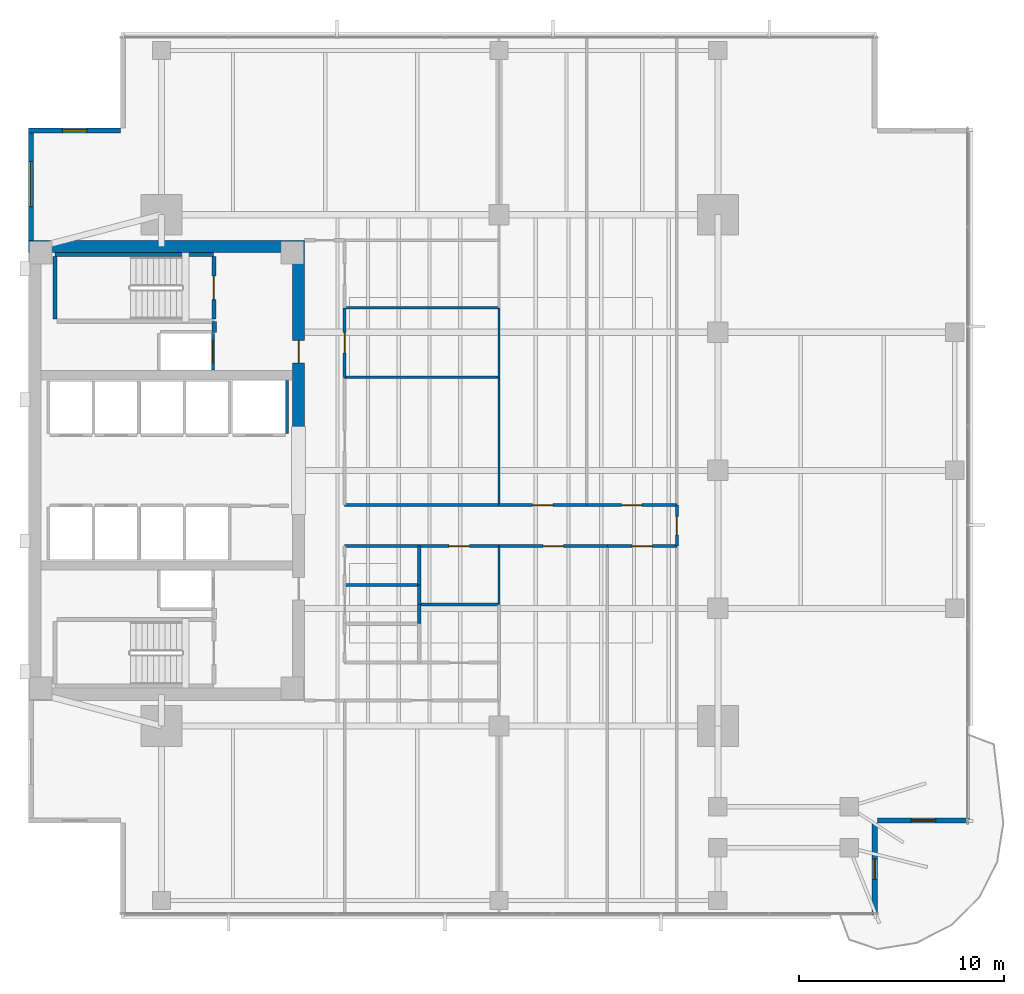
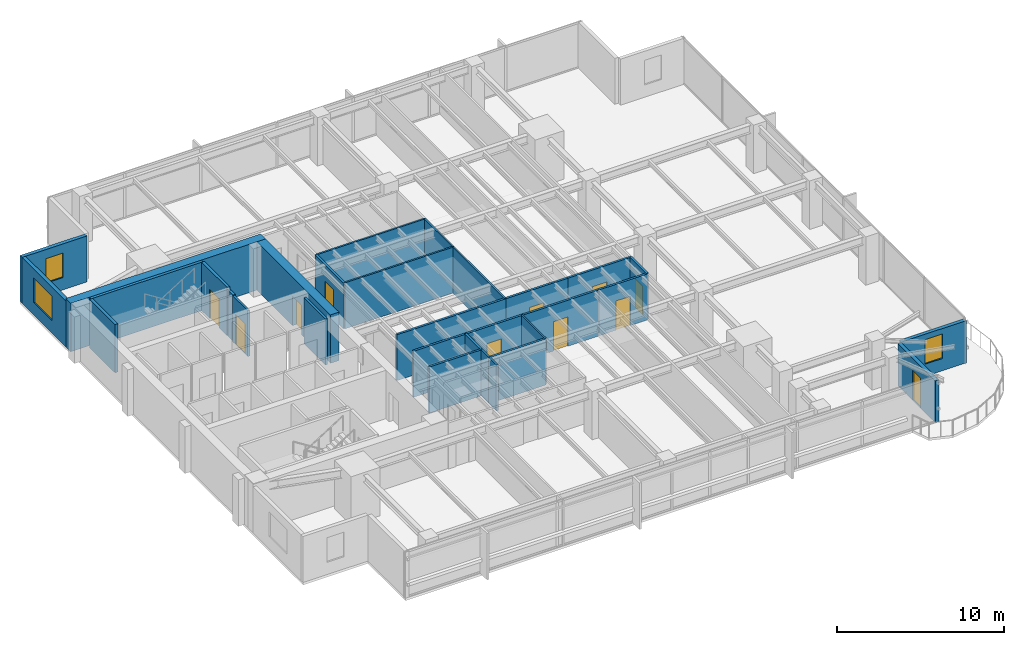
# One storey, part 9 of 14: 31 walls, 11 doors, 3 windows, 14 openings.
"""IFC4 building model written with IfcOpenShell, lengths in metres."""

from ifc_helpers import new_model, si_unit, direction, frame, frame_2d, origin, place, context, subcontext, project, spatial, rectangle, extrude, material, layer, layer_set, type_object, element, fill, save


model = new_model("IFC4")

# Units and contexts
model_context = context("Model", 3, precision=1e-05, world=origin(), true_north=direction((0.0, 1.0)))
body_context = subcontext(model_context, "Body", "Model", "MODEL_VIEW")
ifc_project = project(units=[si_unit("LENGTHUNIT", "METRE"), si_unit("AREAUNIT", "SQUARE_METRE"), si_unit("VOLUMEUNIT", "CUBIC_METRE"), si_unit("PLANEANGLEUNIT", "RADIAN"), si_unit("MASSUNIT", "GRAM", prefix="KILO")], contexts=[model_context])

# Site, building, storey
site_placement = place(None, origin())
site = spatial("IfcSite", under=ifc_project, at=site_placement, CompositionType="ELEMENT")
building_placement = place(site_placement, origin())
building = spatial("IfcBuilding", under=site, at=building_placement, Name="Kinhvarn Gate Tower", CompositionType="ELEMENT")
storey_placement = place(building_placement, frame((0.0, 0.0, 127.10009765625)))
storey = spatial("IfcBuildingStorey", under=building, at=storey_placement, Name="L33", CompositionType="ELEMENT", Elevation=127.10009765625)

# Wall
ifc_material_1 = material(Name="Concrete C60/75", Category="concrete")
ifc_layer_1 = layer(ifc_material_1, 0.60009765625)
ifc_layer_set_1 = layer_set([ifc_layer_1], Name="Concrete C60/75")
wall_type_1 = type_object("IfcWallType", Name="WL-CORE-600", PredefinedType="SHEAR", material=ifc_layer_set_1)
wall_1_placement = place(storey_placement, frame((4.5, 36.199951171875, 0.0), z_axis=(0.0, 0.0, 1.0), x_axis=(1.0, 0.0, 0.0)))
element("IfcWall", 1, at=wall_1_placement, inside=storey, type_object=wall_type_1, Name="Core North Shear Wall L33 600 mm", PredefinedType="SHEAR", context=body_context, shape_type="SweptSolid", body=[
    extrude(rectangle(XDim=13.5, YDim=0.60009765625, at=frame_2d((6.75, 0.0))), origin(), (0.0, 0.0, 1.0), 3.5498046875),
])

# Wall, opening, door
wall_2_placement = place(storey_placement, frame((17.699951171875, 27.050048828125, 0.0), z_axis=(0.0, 0.0, 1.0), x_axis=(0.0, 1.0, 0.0)))
wall_2 = element("IfcWall", 2, at=wall_2_placement, inside=storey, type_object=wall_type_1, Name="Core East-North Shear Pier L33 600 mm", PredefinedType="SHEAR", context=body_context, shape_type="SweptSolid", body=[
    extrude(rectangle(XDim=8.849853515625, YDim=0.60009765625, at=frame_2d((4.4248046875, 0.0))), origin(), (0.0, 0.0, 1.0), 3.5498046875),
])
opening_1_placement = place(wall_2_placement, frame((3.449951171875, 0.0, 0.0)))
opening_1 = element("IfcOpeningElement", 3, at=opening_1_placement, cuts=wall_2, Name="Opening FD-02", PredefinedType="OPENING", context=body_context, shape_type="SweptSolid", body=[
    extrude(rectangle(XDim=1.10009765625, YDim=2.14990234375, at=frame_2d((0.550048828125, 1.074951171875))), frame((0.0, 0.31005859375, 0.0), z_axis=(0.0, -1.0, 0.0), x_axis=(1.0, 0.0, 0.0)), (0.0, 0.0, 1.0), 0.6201171875),
])
ifc_material_2 = material(Name="Anodised aluminium AW-6063", Category="aluminium")
door_type_1 = type_object("IfcDoorType", Name="DR-FD-1100", OperationType="NOTDEFINED", PredefinedType="DOOR", material=ifc_material_2)
door_1_placement = place(opening_1_placement, origin())
door_1 = element("IfcDoor", 4, at=door_1_placement, inside=storey, type_object=door_type_1, Name="Firefighting Lobby Core Door (L33)", OperationType="SINGLE_SWING_LEFT", OverallHeight=2.14990234375, OverallWidth=1.10009765625, PredefinedType="DOOR", context=body_context, shape_type="SweptSolid", body=[
    extrude(rectangle(XDim=1.10009765625, YDim=2.14990234375, at=frame_2d((0.550048828125, 1.074951171875))), frame((0.0, 0.02490234375, 0.0), z_axis=(0.0, -1.0, 0.0), x_axis=(1.0, 0.0, 0.0)), (0.0, 0.0, 1.0), 0.050048828125),
])
fill(opening_1, door_1)

# Wall, opening, window
ifc_material_3 = material(Name="Fired architectural terracotta", Category="masonry")
ifc_layer_2 = layer(ifc_material_3, 0.25)
ifc_layer_set_2 = layer_set([ifc_layer_2], Name="Fired architectural terracotta")
wall_type_2 = type_object("IfcWallType", Name="WL-EXT-250", PredefinedType="SOLIDWALL", material=ifc_layer_set_2)
wall_3_placement = place(storey_placement, frame((4.625, 42.0, 0.0), z_axis=(0.0, 0.0, 1.0), x_axis=(0.0, -1.0, 0.0)))
wall_3 = element("IfcWall", 5, at=wall_3_placement, inside=storey, type_object=wall_type_2, Name="Exterior Solidwall Wall EW-250 (L33 West-North)", PredefinedType="SOLIDWALL", context=body_context, shape_type="SweptSolid", body=[
    extrude(rectangle(XDim=5.5, YDim=0.25, at=frame_2d((2.75, 0.0))), origin(), (0.0, 0.0, 1.0), 3.369873046875),
])
opening_2_placement = place(wall_3_placement, frame((1.64990234375, 0.0, 0.89990234375)))
opening_2 = element("IfcOpeningElement", 6, at=opening_2_placement, cuts=wall_3, Name="Opening WN-01", PredefinedType="OPENING", context=body_context, shape_type="SweptSolid", body=[
    extrude(rectangle(XDim=2.199951171875, YDim=1.800048828125, at=frame_2d((1.10009765625, 0.89990234375))), frame((0.0, 0.135009765625, 0.0), z_axis=(0.0, -1.0, 0.0), x_axis=(1.0, 0.0, 0.0)), (0.0, 0.0, 1.0), 0.27001953125),
])
ifc_material_4 = material(Name="Clear low-e double glazing", Category="glass")
window_type_1 = type_object("IfcWindowType", Name="WIN-RIB-2200", PartitioningType="SINGLE_PANEL", PredefinedType="WINDOW", material=ifc_material_4)
window_1_placement = place(opening_2_placement, origin())
window_1 = element("IfcWindow", 7, at=window_1_placement, inside=storey, type_object=window_type_1, Name="West Flank Double-Glazed Ribbon Window 2200x1800 mm (L33)", OverallHeight=1.800048828125, OverallWidth=2.199951171875, PartitioningType="SINGLE_PANEL", PredefinedType="WINDOW", context=body_context, shape_type="SweptSolid", body=[
    extrude(rectangle(XDim=2.199951171875, YDim=1.800048828125, at=frame_2d((1.10009765625, 0.89990234375))), frame((0.0, 0.030029296875, 0.0), z_axis=(0.0, -1.0, 0.0), x_axis=(1.0, 0.0, 0.0)), (0.0, 0.0, 1.0), 0.06005859375),
])
fill(opening_2, window_1)

# Wall, opening, door
wall_4_placement = place(storey_placement, frame((45.875, 3.5, 0.0), z_axis=(0.0, 0.0, 1.0), x_axis=(0.0, 1.0, 0.0)))
wall_4 = element("IfcWall", 8, at=wall_4_placement, inside=storey, type_object=wall_type_2, Name="Exterior Solidwall Wall EW-250 (L33 SE-Notch-Door)", PredefinedType="SOLIDWALL", context=body_context, shape_type="SweptSolid", body=[
    extrude(rectangle(XDim=4.5, YDim=0.25, at=frame_2d((2.25, 0.0))), origin(), (0.0, 0.0, 1.0), 3.06982421875),
])
opening_3_placement = place(wall_4_placement, frame((1.75, 0.0, 0.0)))
opening_3 = element("IfcOpeningElement", 9, at=opening_3_placement, cuts=wall_4, Name="Opening BD-01", PredefinedType="OPENING", context=body_context, shape_type="SweptSolid", body=[
    extrude(rectangle(XDim=1.0, YDim=2.199951171875, at=frame_2d((0.5, 1.10009765625))), frame((0.0, 0.135009765625, 0.0), z_axis=(0.0, -1.0, 0.0), x_axis=(1.0, 0.0, 0.0)), (0.0, 0.0, 1.0), 0.27001953125),
])
door_type_2 = type_object("IfcDoorType", Name="DR-BAL-1000", OperationType="NOTDEFINED", PredefinedType="DOOR", material=ifc_material_4)
door_2_placement = place(opening_3_placement, frame((1.0, 0.0, 0.0), z_axis=(0.0, 0.0, 1.0), x_axis=(-1.0, 0.0, 0.0)))
door_2 = element("IfcDoor", 10, at=door_2_placement, inside=storey, type_object=door_type_2, Name="S-Carve Balcony Door BD-01 (L33)", OperationType="SINGLE_SWING_LEFT", OverallHeight=2.199951171875, OverallWidth=1.0, PredefinedType="DOOR", context=body_context, shape_type="SweptSolid", body=[
    extrude(rectangle(XDim=1.0, YDim=2.199951171875, at=frame_2d((0.5, 1.10009765625))), frame((0.0, 0.02490234375, 0.0), z_axis=(0.0, -1.0, 0.0), x_axis=(1.0, 0.0, 0.0)), (0.0, 0.0, 1.0), 0.050048828125),
])
fill(opening_3, door_2)

# Wall, opening, window
wall_5_placement = place(storey_placement, frame((46.0, 8.125, 0.0), z_axis=(0.0, 0.0, 1.0), x_axis=(1.0, 0.0, 0.0)))
wall_5 = element("IfcWall", 11, at=wall_5_placement, inside=storey, type_object=wall_type_2, Name="Exterior Solidwall Wall EW-250 (L33 SE-Notch-Win)", PredefinedType="SOLIDWALL", context=body_context, shape_type="SweptSolid", body=[
    extrude(rectangle(XDim=4.5, YDim=0.25, at=frame_2d((2.25, 0.0))), origin(), (0.0, 0.0, 1.0), 3.099853515625),
])
opening_4_placement = place(wall_5_placement, frame((1.64990234375, 0.0, 0.89990234375)))
opening_4 = element("IfcOpeningElement", 12, at=opening_4_placement, cuts=wall_5, Name="Opening WN-02", PredefinedType="OPENING", context=body_context, shape_type="SweptSolid", body=[
    extrude(rectangle(XDim=1.199951171875, YDim=1.800048828125, at=frame_2d((0.60009765625, 0.89990234375))), frame((0.0, 0.135009765625, 0.0), z_axis=(0.0, -1.0, 0.0), x_axis=(1.0, 0.0, 0.0)), (0.0, 0.0, 1.0), 0.27001953125),
])
window_type_2 = type_object("IfcWindowType", Name="WIN-NTC-1200", PartitioningType="SINGLE_PANEL", PredefinedType="WINDOW", material=ifc_material_4)
window_2_placement = place(opening_4_placement, origin())
window_2 = element("IfcWindow", 13, at=window_2_placement, inside=storey, type_object=window_type_2, Name="Recessed Corner Notch Punched Window 1200x1800 mm (L33)", OverallHeight=1.800048828125, OverallWidth=1.199951171875, PartitioningType="SINGLE_PANEL", PredefinedType="WINDOW", context=body_context, shape_type="SweptSolid", body=[
    extrude(rectangle(XDim=1.199951171875, YDim=1.800048828125, at=frame_2d((0.60009765625, 0.89990234375))), frame((0.0, 0.030029296875, 0.0), z_axis=(0.0, -1.0, 0.0), x_axis=(1.0, 0.0, 0.0)), (0.0, 0.0, 1.0), 0.06005859375),
])
fill(opening_4, window_2)

wall_6_placement = place(storey_placement, frame((9.0, 41.875, 0.0), z_axis=(0.0, 0.0, 1.0), x_axis=(-1.0, 0.0, 0.0)))
wall_6 = element("IfcWall", 14, at=wall_6_placement, inside=storey, type_object=wall_type_2, Name="Exterior Solidwall Wall EW-250 (L33 NW-Notch-2)", PredefinedType="SOLIDWALL", context=body_context, shape_type="SweptSolid", body=[
    extrude(rectangle(XDim=4.5, YDim=0.25, at=frame_2d((2.25, 0.0))), origin(), (0.0, 0.0, 1.0), 3.369873046875),
])
opening_5_placement = place(wall_6_placement, frame((1.64990234375, 0.0, 0.89990234375)))
opening_5 = element("IfcOpeningElement", 15, at=opening_5_placement, cuts=wall_6, Name="Opening WN-02", PredefinedType="OPENING", context=body_context, shape_type="SweptSolid", body=[
    extrude(rectangle(XDim=1.199951171875, YDim=1.800048828125, at=frame_2d((0.60009765625, 0.89990234375))), frame((0.0, 0.135009765625, 0.0), z_axis=(0.0, -1.0, 0.0), x_axis=(1.0, 0.0, 0.0)), (0.0, 0.0, 1.0), 0.27001953125),
])
window_3_placement = place(opening_5_placement, origin())
window_3 = element("IfcWindow", 16, at=window_3_placement, inside=storey, type_object=window_type_2, Name="Recessed Corner Notch Punched Window 1200x1800 mm (L33)", OverallHeight=1.800048828125, OverallWidth=1.199951171875, PartitioningType="SINGLE_PANEL", PredefinedType="WINDOW", context=body_context, shape_type="SweptSolid", body=[
    extrude(rectangle(XDim=1.199951171875, YDim=1.800048828125, at=frame_2d((0.60009765625, 0.89990234375))), frame((0.0, 0.030029296875, 0.0), z_axis=(0.0, -1.0, 0.0), x_axis=(1.0, 0.0, 0.0)), (0.0, 0.0, 1.0), 0.06005859375),
])
fill(opening_5, window_3)

# Walls
ifc_material_5 = material(Name="Gypsum acoustic partition board")
ifc_layer_3 = layer(ifc_material_5, 0.14990234375)
ifc_layer_set_3 = layer_set([ifc_layer_3], Name="Gypsum acoustic partition board")
wall_type_3 = type_object("IfcWallType", Name="WL-PLM-150", PredefinedType="PLUMBINGWALL", material=ifc_layer_set_3)
wall_7_placement = place(storey_placement, frame((19.949951171875, 19.64990234375, 0.0), z_axis=(0.0, 0.0, 1.0), x_axis=(1.0, 0.0, 0.0)))
element("IfcWall", 17, at=wall_7_placement, inside=storey, type_object=wall_type_3, Name="Interior Partition PLW-150 (L33)", PredefinedType="PLUMBINGWALL", context=body_context, shape_type="SweptSolid", body=[
    extrude(rectangle(XDim=3.650146484375, YDim=0.14990234375, at=frame_2d((1.8251953125, 0.0))), origin(), (0.0, 0.0, 1.0), 3.369873046875),
])
for number, where, z_axis, x_axis, name in (
    (18, (23.60009765625, 17.75, 0.0), (0.0, 0.0, 1.0), (0.0, 1.0, 0.0), "Interior Partition PLW-150 (L33)"),
    (19, (23.60009765625, 18.699951171875, 0.0), (0.0, 0.0, 1.0), (0.0, 1.0, 0.0), "Interior Partition PLW-150 (L33)"),
):
    element("IfcWall", number, at=place(storey_placement, frame(where, z_axis=z_axis, x_axis=x_axis)), inside=storey, type_object=wall_type_3, Name=name, PredefinedType="PLUMBINGWALL", context=body_context, shape_type="SweptSolid", body=[
        extrude(rectangle(XDim=0.949951171875, YDim=0.14990234375, at=frame_2d((0.47509765625, 0.0))), origin(), (0.0, 0.0, 1.0), 3.369873046875),
    ])
wall_8_placement = place(storey_placement, frame((23.60009765625, 19.64990234375, 0.0), z_axis=(0.0, 0.0, 1.0), x_axis=(0.0, 1.0, 0.0)))
element("IfcWall", 20, at=wall_8_placement, inside=storey, type_object=wall_type_3, Name="Interior Partition PLW-150 (L33)", PredefinedType="PLUMBINGWALL", context=body_context, shape_type="SweptSolid", body=[
    extrude(rectangle(XDim=1.900146484375, YDim=0.14990234375, at=frame_2d((0.9501953125, 0.0))), origin(), (0.0, 0.0, 1.0), 3.369873046875),
])
wall_9_placement = place(storey_placement, frame((23.60009765625, 18.699951171875, 0.0), z_axis=(0.0, 0.0, 1.0), x_axis=(1.0, 0.0, 0.0)))
element("IfcWall", 21, at=wall_9_placement, inside=storey, type_object=wall_type_3, Name="Interior Partition PLW-150 (L33)", PredefinedType="PLUMBINGWALL", context=body_context, shape_type="SweptSolid", body=[
    extrude(rectangle(XDim=3.89990234375, YDim=0.14990234375, at=frame_2d((1.949951171875, 0.0))), origin(), (0.0, 0.0, 1.0), 3.369873046875),
])
ifc_layer_4 = layer(ifc_material_5, 0.14990234375)
ifc_layer_set_4 = layer_set([ifc_layer_4], Name="Gypsum acoustic partition board")
wall_type_4 = type_object("IfcWallType", Name="WL-PLM-150F", PredefinedType="PLUMBINGWALL", material=ifc_layer_set_4)
wall_10_placement = place(storey_placement, frame((19.949951171875, 21.550048828125, 0.0), z_axis=(0.0, 0.0, 1.0), x_axis=(1.0, 0.0, 0.0)))
element("IfcWall", 22, at=wall_10_placement, inside=storey, type_object=wall_type_4, Name="Interior Partition PLW-150F (L33)", PredefinedType="PLUMBINGWALL", context=body_context, shape_type="SweptSolid", body=[
    extrude(rectangle(XDim=3.650146484375, YDim=0.14990234375, at=frame_2d((1.8251953125, 0.0))), origin(), (0.0, 0.0, 1.0), 3.369873046875),
])
ifc_layer_5 = layer(ifc_material_5, 0.1201171875)
ifc_layer_set_5 = layer_set([ifc_layer_5], Name="Gypsum acoustic partition board")
wall_type_5 = type_object("IfcWallType", Name="WL-PRT-120", PredefinedType="PARTITIONING", material=ifc_layer_set_5)
wall_11_placement = place(storey_placement, frame((27.5, 18.699951171875, 0.0), z_axis=(0.0, 0.0, 1.0), x_axis=(0.0, 1.0, 0.0)))
element("IfcWall", 23, at=wall_11_placement, inside=storey, type_object=wall_type_5, Name="Interior Partition PW-120 (L33)", PredefinedType="PARTITIONING", context=body_context, shape_type="SweptSolid", body=[
    extrude(rectangle(XDim=2.85009765625, YDim=0.1201171875, at=frame_2d((1.425048828125, 0.0))), origin(), (0.0, 0.0, 1.0), 3.369873046875),
])
wall_12_placement = place(storey_placement, frame((19.949951171875, 29.800048828125, 0.0), z_axis=(0.0, 0.0, 1.0), x_axis=(1.0, 0.0, 0.0)))
element("IfcWall", 24, at=wall_12_placement, inside=storey, type_object=wall_type_5, Name="Interior Partition PW-120 (L33)", PredefinedType="PARTITIONING", context=body_context, shape_type="SweptSolid", body=[
    extrude(rectangle(XDim=7.550048828125, YDim=0.1201171875, at=frame_2d((3.77490234375, 0.0))), origin(), (0.0, 0.0, 1.0), 3.369873046875),
])
wall_13_placement = place(storey_placement, frame((27.5, 23.550048828125, 0.0), z_axis=(0.0, 0.0, 1.0), x_axis=(0.0, 1.0, 0.0)))
element("IfcWall", 25, at=wall_13_placement, inside=storey, type_object=wall_type_5, Name="Interior Partition PW-120 (L33)", PredefinedType="PARTITIONING", context=body_context, shape_type="SweptSolid", body=[
    extrude(rectangle(XDim=6.25, YDim=0.1201171875, at=frame_2d((3.125, 0.0))), origin(), (0.0, 0.0, 1.0), 3.369873046875),
])
wall_14_placement = place(storey_placement, frame((19.949951171875, 33.199951171875, 0.0), z_axis=(0.0, 0.0, 1.0), x_axis=(1.0, 0.0, 0.0)))
element("IfcWall", 26, at=wall_14_placement, inside=storey, type_object=wall_type_5, Name="Interior Partition PW-120 (L33)", PredefinedType="PARTITIONING", context=body_context, shape_type="SweptSolid", body=[
    extrude(rectangle(XDim=7.550048828125, YDim=0.1201171875, at=frame_2d((3.77490234375, 0.0))), origin(), (0.0, 0.0, 1.0), 3.369873046875),
])
wall_15_placement = place(storey_placement, frame((27.5, 29.800048828125, 0.0), z_axis=(0.0, 0.0, 1.0), x_axis=(0.0, 1.0, 0.0)))
element("IfcWall", 27, at=wall_15_placement, inside=storey, type_object=wall_type_5, Name="Interior Partition PW-120 (L33)", PredefinedType="PARTITIONING", context=body_context, shape_type="SweptSolid", body=[
    extrude(rectangle(XDim=3.39990234375, YDim=0.1201171875, at=frame_2d((1.699951171875, 0.0))), origin(), (0.0, 0.0, 1.0), 3.369873046875),
])

# Wall, opening, door
ifc_layer_6 = layer(ifc_material_5, 0.14990234375)
ifc_layer_set_6 = layer_set([ifc_layer_6], Name="Gypsum acoustic partition board")
wall_type_6 = type_object("IfcWallType", Name="WL-PRT-150F", PredefinedType="PARTITIONING", material=ifc_layer_set_6)
wall_16_placement = place(storey_placement, frame((19.949951171875, 29.800048828125, 0.0), z_axis=(0.0, 0.0, 1.0), x_axis=(0.0, 1.0, 0.0)))
wall_16 = element("IfcWall", 28, at=wall_16_placement, inside=storey, type_object=wall_type_6, Name="Interior Partition PW-150F (L33)", PredefinedType="PARTITIONING", context=body_context, shape_type="SweptSolid", body=[
    extrude(rectangle(XDim=3.39990234375, YDim=0.14990234375, at=frame_2d((1.699951171875, 0.0))), origin(), (0.0, 0.0, 1.0), 3.369873046875),
])
opening_6_placement = place(wall_16_placement, frame((1.199951171875, 0.0, 0.0)))
opening_6 = element("IfcOpeningElement", 29, at=opening_6_placement, cuts=wall_16, Name="Opening ID-02", PredefinedType="OPENING", context=body_context, shape_type="SweptSolid", body=[
    extrude(rectangle(XDim=1.0, YDim=2.14990234375, at=frame_2d((0.5, 1.074951171875))), frame((0.0, 0.0849609375, 0.0), z_axis=(0.0, -1.0, 0.0), x_axis=(1.0, 0.0, 0.0)), (0.0, 0.0, 1.0), 0.169921875),
])
door_type_3 = type_object("IfcDoorType", Name="DR-INT-1000", OperationType="NOTDEFINED", PredefinedType="DOOR", material=ifc_material_2)
door_3_placement = place(opening_6_placement, origin())
door_3 = element("IfcDoor", 30, at=door_3_placement, inside=storey, type_object=door_type_3, Name="Standard Office & Meeting Room Door 1000x2150 mm (L33)", OperationType="SINGLE_SWING_RIGHT", OverallHeight=2.14990234375, OverallWidth=1.0, PredefinedType="DOOR", context=body_context, shape_type="SweptSolid", body=[
    extrude(rectangle(XDim=1.0, YDim=2.14990234375, at=frame_2d((0.5, 1.074951171875))), frame((0.0, 0.02490234375, 0.0), z_axis=(0.0, -1.0, 0.0), x_axis=(1.0, 0.0, 0.0)), (0.0, 0.0, 1.0), 0.050048828125),
])
fill(opening_6, door_3)

wall_17_placement = place(storey_placement, frame((23.60009765625, 21.550048828125, 0.0), z_axis=(0.0, 0.0, 1.0), x_axis=(1.0, 0.0, 0.0)))
wall_17 = element("IfcWall", 31, at=wall_17_placement, inside=storey, type_object=wall_type_6, Name="Interior Partition PW-150F (L33)", PredefinedType="PARTITIONING", context=body_context, shape_type="SweptSolid", body=[
    extrude(rectangle(XDim=3.89990234375, YDim=0.14990234375, at=frame_2d((1.949951171875, 0.0))), origin(), (0.0, 0.0, 1.0), 3.369873046875),
])
opening_7_placement = place(wall_17_placement, frame((1.449951171875, 0.0, 0.0)))
opening_7 = element("IfcOpeningElement", 32, at=opening_7_placement, cuts=wall_17, Name="Opening ID-02", PredefinedType="OPENING", context=body_context, shape_type="SweptSolid", body=[
    extrude(rectangle(XDim=1.0, YDim=2.14990234375, at=frame_2d((0.5, 1.074951171875))), frame((0.0, 0.0849609375, 0.0), z_axis=(0.0, -1.0, 0.0), x_axis=(1.0, 0.0, 0.0)), (0.0, 0.0, 1.0), 0.169921875),
])
door_4_placement = place(opening_7_placement, origin())
door_4 = element("IfcDoor", 33, at=door_4_placement, inside=storey, type_object=door_type_3, Name="Standard Office & Meeting Room Door 1000x2150 mm (L33)", OperationType="SINGLE_SWING_RIGHT", OverallHeight=2.14990234375, OverallWidth=1.0, PredefinedType="DOOR", context=body_context, shape_type="SweptSolid", body=[
    extrude(rectangle(XDim=1.0, YDim=2.14990234375, at=frame_2d((0.5, 1.074951171875))), frame((0.0, 0.02490234375, 0.0), z_axis=(0.0, -1.0, 0.0), x_axis=(1.0, 0.0, 0.0)), (0.0, 0.0, 1.0), 0.050048828125),
])
fill(opening_7, door_4)

# Wall
wall_18_placement = place(storey_placement, frame((19.949951171875, 23.550048828125, 0.0), z_axis=(0.0, 0.0, 1.0), x_axis=(1.0, 0.0, 0.0)))
element("IfcWall", 34, at=wall_18_placement, inside=storey, type_object=wall_type_6, Name="Interior Partition PW-150F (L33)", PredefinedType="PARTITIONING", context=body_context, shape_type="SweptSolid", body=[
    extrude(rectangle(XDim=7.550048828125, YDim=0.14990234375, at=frame_2d((3.77490234375, 0.0))), origin(), (0.0, 0.0, 1.0), 3.369873046875),
])

# Wall, opening, door
wall_19_placement = place(storey_placement, frame((27.5, 21.550048828125, 0.0), z_axis=(0.0, 0.0, 1.0), x_axis=(1.0, 0.0, 0.0)))
wall_19 = element("IfcWall", 35, at=wall_19_placement, inside=storey, type_object=wall_type_6, Name="Interior Partition PW-150F (L33)", PredefinedType="PARTITIONING", context=body_context, shape_type="SweptSolid", body=[
    extrude(rectangle(XDim=5.300048828125, YDim=0.14990234375, at=frame_2d((2.64990234375, 0.0))), origin(), (0.0, 0.0, 1.0), 3.369873046875),
])
opening_8_placement = place(wall_19_placement, frame((2.14990234375, 0.0, 0.0)))
opening_8 = element("IfcOpeningElement", 36, at=opening_8_placement, cuts=wall_19, Name="Opening ID-02", PredefinedType="OPENING", context=body_context, shape_type="SweptSolid", body=[
    extrude(rectangle(XDim=1.0, YDim=2.14990234375, at=frame_2d((0.5, 1.074951171875))), frame((0.0, 0.0849609375, 0.0), z_axis=(0.0, -1.0, 0.0), x_axis=(1.0, 0.0, 0.0)), (0.0, 0.0, 1.0), 0.169921875),
])
door_5_placement = place(opening_8_placement, origin())
door_5 = element("IfcDoor", 37, at=door_5_placement, inside=storey, type_object=door_type_3, Name="Standard Office & Meeting Room Door 1000x2150 mm (L33)", OperationType="SINGLE_SWING_LEFT", OverallHeight=2.14990234375, OverallWidth=1.0, PredefinedType="DOOR", context=body_context, shape_type="SweptSolid", body=[
    extrude(rectangle(XDim=1.0, YDim=2.14990234375, at=frame_2d((0.5, 1.074951171875))), frame((0.0, 0.02490234375, 0.0), z_axis=(0.0, -1.0, 0.0), x_axis=(1.0, 0.0, 0.0)), (0.0, 0.0, 1.0), 0.050048828125),
])
fill(opening_8, door_5)

wall_20_placement = place(storey_placement, frame((32.800048828125, 21.550048828125, 0.0), z_axis=(0.0, 0.0, 1.0), x_axis=(1.0, 0.0, 0.0)))
wall_20 = element("IfcWall", 38, at=wall_20_placement, inside=storey, type_object=wall_type_6, Name="Interior Partition PW-150F (L33)", PredefinedType="PARTITIONING", context=body_context, shape_type="SweptSolid", body=[
    extrude(rectangle(XDim=3.39990234375, YDim=0.14990234375, at=frame_2d((1.699951171875, 0.0))), origin(), (0.0, 0.0, 1.0), 3.369873046875),
])
opening_9_placement = place(wall_20_placement, frame((1.199951171875, 0.0, 0.0)))
opening_9 = element("IfcOpeningElement", 39, at=opening_9_placement, cuts=wall_20, Name="Opening ID-02", PredefinedType="OPENING", context=body_context, shape_type="SweptSolid", body=[
    extrude(rectangle(XDim=1.0, YDim=2.14990234375, at=frame_2d((0.5, 1.074951171875))), frame((0.0, 0.0849609375, 0.0), z_axis=(0.0, -1.0, 0.0), x_axis=(1.0, 0.0, 0.0)), (0.0, 0.0, 1.0), 0.169921875),
])
door_6_placement = place(opening_9_placement, origin())
door_6 = element("IfcDoor", 40, at=door_6_placement, inside=storey, type_object=door_type_3, Name="Standard Office & Meeting Room Door 1000x2150 mm (L33)", OperationType="SINGLE_SWING_RIGHT", OverallHeight=2.14990234375, OverallWidth=1.0, PredefinedType="DOOR", context=body_context, shape_type="SweptSolid", body=[
    extrude(rectangle(XDim=1.0, YDim=2.14990234375, at=frame_2d((0.5, 1.074951171875))), frame((0.0, 0.02490234375, 0.0), z_axis=(0.0, -1.0, 0.0), x_axis=(1.0, 0.0, 0.0)), (0.0, 0.0, 1.0), 0.050048828125),
])
fill(opening_9, door_6)

wall_21_placement = place(storey_placement, frame((27.5, 23.550048828125, 0.0), z_axis=(0.0, 0.0, 1.0), x_axis=(1.0, 0.0, 0.0)))
wall_21 = element("IfcWall", 41, at=wall_21_placement, inside=storey, type_object=wall_type_6, Name="Interior Partition PW-150F (L33)", PredefinedType="PARTITIONING", context=body_context, shape_type="SweptSolid", body=[
    extrude(rectangle(XDim=4.300048828125, YDim=0.14990234375, at=frame_2d((2.14990234375, 0.0))), origin(), (0.0, 0.0, 1.0), 3.369873046875),
])
opening_10_placement = place(wall_21_placement, frame((1.64990234375, 0.0, 0.0)))
opening_10 = element("IfcOpeningElement", 42, at=opening_10_placement, cuts=wall_21, Name="Opening ID-02", PredefinedType="OPENING", context=body_context, shape_type="SweptSolid", body=[
    extrude(rectangle(XDim=1.0, YDim=2.14990234375, at=frame_2d((0.5, 1.074951171875))), frame((0.0, 0.0849609375, 0.0), z_axis=(0.0, -1.0, 0.0), x_axis=(1.0, 0.0, 0.0)), (0.0, 0.0, 1.0), 0.169921875),
])
door_7_placement = place(opening_10_placement, origin())
door_7 = element("IfcDoor", 43, at=door_7_placement, inside=storey, type_object=door_type_3, Name="Standard Office & Meeting Room Door 1000x2150 mm (L33)", OperationType="SINGLE_SWING_LEFT", OverallHeight=2.14990234375, OverallWidth=1.0, PredefinedType="DOOR", context=body_context, shape_type="SweptSolid", body=[
    extrude(rectangle(XDim=1.0, YDim=2.14990234375, at=frame_2d((0.5, 1.074951171875))), frame((0.0, 0.02490234375, 0.0), z_axis=(0.0, -1.0, 0.0), x_axis=(1.0, 0.0, 0.0)), (0.0, 0.0, 1.0), 0.050048828125),
])
fill(opening_10, door_7)

wall_22_placement = place(storey_placement, frame((31.800048828125, 23.550048828125, 0.0), z_axis=(0.0, 0.0, 1.0), x_axis=(1.0, 0.0, 0.0)))
wall_22 = element("IfcWall", 44, at=wall_22_placement, inside=storey, type_object=wall_type_6, Name="Interior Partition PW-150F (L33)", PredefinedType="PARTITIONING", context=body_context, shape_type="SweptSolid", body=[
    extrude(rectangle(XDim=4.39990234375, YDim=0.14990234375, at=frame_2d((2.199951171875, 0.0))), origin(), (0.0, 0.0, 1.0), 3.369873046875),
])
opening_11_placement = place(wall_22_placement, frame((1.699951171875, 0.0, 0.0)))
opening_11 = element("IfcOpeningElement", 45, at=opening_11_placement, cuts=wall_22, Name="Opening ID-02", PredefinedType="OPENING", context=body_context, shape_type="SweptSolid", body=[
    extrude(rectangle(XDim=1.0, YDim=2.14990234375, at=frame_2d((0.5, 1.074951171875))), frame((0.0, 0.0849609375, 0.0), z_axis=(0.0, -1.0, 0.0), x_axis=(1.0, 0.0, 0.0)), (0.0, 0.0, 1.0), 0.169921875),
])
door_8_placement = place(opening_11_placement, origin())
door_8 = element("IfcDoor", 46, at=door_8_placement, inside=storey, type_object=door_type_3, Name="Standard Office & Meeting Room Door 1000x2150 mm (L33)", OperationType="SINGLE_SWING_RIGHT", OverallHeight=2.14990234375, OverallWidth=1.0, PredefinedType="DOOR", context=body_context, shape_type="SweptSolid", body=[
    extrude(rectangle(XDim=1.0, YDim=2.14990234375, at=frame_2d((0.5, 1.074951171875))), frame((0.0, 0.02490234375, 0.0), z_axis=(0.0, -1.0, 0.0), x_axis=(1.0, 0.0, 0.0)), (0.0, 0.0, 1.0), 0.050048828125),
])
fill(opening_11, door_8)

wall_23_placement = place(storey_placement, frame((36.199951171875, 21.550048828125, 0.0), z_axis=(0.0, 0.0, 1.0), x_axis=(0.0, 1.0, 0.0)))
wall_23 = element("IfcWall", 47, at=wall_23_placement, inside=storey, type_object=wall_type_6, Name="Interior Partition PW-150F (L33)", PredefinedType="PARTITIONING", context=body_context, shape_type="SweptSolid", body=[
    extrude(rectangle(XDim=2.0, YDim=0.14990234375, at=frame_2d((1.0, 0.0))), origin(), (0.0, 0.0, 1.0), 3.369873046875),
])
opening_12_placement = place(wall_23_placement, frame((0.550048828125, 0.0, 0.0)))
opening_12 = element("IfcOpeningElement", 48, at=opening_12_placement, cuts=wall_23, Name="Opening ID-03", PredefinedType="OPENING", context=body_context, shape_type="SweptSolid", body=[
    extrude(rectangle(XDim=0.89990234375, YDim=2.10009765625, at=frame_2d((0.449951171875, 1.050048828125))), frame((0.0, 0.0849609375, 0.0), z_axis=(0.0, -1.0, 0.0), x_axis=(1.0, 0.0, 0.0)), (0.0, 0.0, 1.0), 0.169921875),
])
door_type_4 = type_object("IfcDoorType", Name="DR-INT-900", OperationType="NOTDEFINED", PredefinedType="DOOR", material=ifc_material_2)
door_9_placement = place(opening_12_placement, origin())
door_9 = element("IfcDoor", 49, at=door_9_placement, inside=storey, type_object=door_type_4, Name="Cellular Office & Restroom Door 900x2100 mm (L33)", OperationType="SINGLE_SWING_LEFT", OverallHeight=2.10009765625, OverallWidth=0.89990234375, PredefinedType="DOOR", context=body_context, shape_type="SweptSolid", body=[
    extrude(rectangle(XDim=0.89990234375, YDim=2.10009765625, at=frame_2d((0.449951171875, 1.050048828125))), frame((0.0, 0.02490234375, 0.0), z_axis=(0.0, -1.0, 0.0), x_axis=(1.0, 0.0, 0.0)), (0.0, 0.0, 1.0), 0.050048828125),
])
fill(opening_12, door_9)

# Walls
ifc_layer_7 = layer(ifc_material_5, 0.199951171875)
ifc_layer_set_7 = layer_set([ifc_layer_7], Name="Gypsum acoustic partition board")
wall_type_7 = type_object("IfcWallType", Name="WL-PRT-200", PredefinedType="PARTITIONING", material=ifc_layer_set_7)
wall_24_placement = place(storey_placement, frame((13.580078125, 32.0, 0.0), z_axis=(0.0, 0.0, 1.0), x_axis=(0.0, 1.0, 0.0)))
element("IfcWall", 50, at=wall_24_placement, inside=storey, type_object=wall_type_7, Name="Interior Partition PW-200 (L33)", PredefinedType="PARTITIONING", context=body_context, shape_type="SweptSolid", body=[
    extrude(rectangle(XDim=0.5400390625, YDim=0.199951171875, at=frame_2d((0.27001953125, 0.0))), origin(), (0.0, 0.0, 1.0), 3.369873046875),
])
ifc_layer_8 = layer(ifc_material_5, 0.14990234375)
ifc_layer_set_8 = layer_set([ifc_layer_8], Name="Gypsum acoustic partition board")
wall_type_8 = type_object("IfcWallType", Name="WL-SHF-150", PredefinedType="PARTITIONING", material=ifc_layer_set_8)
wall_25_placement = place(storey_placement, frame((17.125, 27.050048828125, 0.0), z_axis=(0.0, 0.0, 1.0), x_axis=(0.0, 1.0, 0.0)))
element("IfcWall", 51, at=wall_25_placement, inside=storey, type_object=wall_type_8, Name="Elevator SV-01 Hoistway Wall E (L33)", PredefinedType="PARTITIONING", context=body_context, shape_type="SweptSolid", body=[
    extrude(rectangle(XDim=2.599853515625, YDim=0.14990234375, at=frame_2d((1.2998046875, 0.0))), origin(), (0.0, 0.0, 1.0), 3.369873046875),
])

# Wall, opening, door
wall_26_placement = place(storey_placement, frame((13.52490234375, 30.14990234375, 0.0), z_axis=(0.0, 0.0, 1.0), x_axis=(0.0, 1.0, 0.0)))
wall_26 = element("IfcWall", 52, at=wall_26_placement, inside=storey, type_object=wall_type_8, Name="Elevator FF2 Landing Wall (L33)", PredefinedType="PARTITIONING", context=body_context, shape_type="SweptSolid", body=[
    extrude(rectangle(XDim=1.800048828125, YDim=0.14990234375, at=frame_2d((0.89990234375, 0.0))), origin(), (0.0, 0.0, 1.0), 3.369873046875),
])
opening_13_placement = place(wall_26_placement, frame((0.35009765625, 0.0, 0.0)))
opening_13 = element("IfcOpeningElement", 53, at=opening_13_placement, cuts=wall_26, Name="Opening LD-03", PredefinedType="OPENING", context=body_context, shape_type="SweptSolid", body=[
    extrude(rectangle(XDim=1.10009765625, YDim=2.199951171875, at=frame_2d((0.550048828125, 1.10009765625))), frame((0.0, 0.0849609375, 0.0), z_axis=(0.0, -1.0, 0.0), x_axis=(1.0, 0.0, 0.0)), (0.0, 0.0, 1.0), 0.169921875),
])
door_type_5 = type_object("IfcDoorType", Name="DR-LND-FF", OperationType="NOTDEFINED", PredefinedType="DOOR", material=ifc_material_2)
door_10_placement = place(opening_13_placement, origin())
door_10 = element("IfcDoor", 54, at=door_10_placement, inside=storey, type_object=door_type_5, Name="Elevator FF2 Sliding Landing Door (L33)", OperationType="DOUBLE_DOOR_SLIDING", OverallHeight=2.199951171875, OverallWidth=1.10009765625, PredefinedType="DOOR", context=body_context, shape_type="SweptSolid", body=[
    extrude(rectangle(XDim=1.10009765625, YDim=2.199951171875, at=frame_2d((0.550048828125, 1.10009765625))), frame((0.0, 0.02490234375, 0.0), z_axis=(0.0, -1.0, 0.0), x_axis=(1.0, 0.0, 0.0)), (0.0, 0.0, 1.0), 0.050048828125),
])
fill(opening_13, door_10)

# Walls
ifc_material_6 = material(Name="Concrete C40/50", Category="concrete")
ifc_layer_9 = layer(ifc_material_6, 0.199951171875)
ifc_layer_set_9 = layer_set([ifc_layer_9], Name="Concrete C40/50")
wall_type_9 = type_object("IfcWallType", Name="WL-SHF-200", PredefinedType="SOLIDWALL", material=ifc_layer_set_9)
wall_27_placement = place(storey_placement, frame((5.800048828125, 35.800048828125, 0.0), z_axis=(0.0, 0.0, 1.0), x_axis=(1.0, 0.0, 0.0)))
element("IfcWall", 55, at=wall_27_placement, inside=storey, type_object=wall_type_9, Name="Stair ST2 North Shaft Wall (L33)", PredefinedType="SOLIDWALL", context=body_context, shape_type="SweptSolid", body=[
    extrude(rectangle(XDim=7.75, YDim=0.199951171875, at=frame_2d((3.875, 0.0))), origin(), (0.0, 0.0, 1.0), 3.5498046875),
])
wall_28_placement = place(storey_placement, frame((5.7900390625, 32.64990234375, 0.0), z_axis=(0.0, 0.0, 1.0), x_axis=(0.0, 1.0, 0.0)))
element("IfcWall", 56, at=wall_28_placement, inside=storey, type_object=wall_type_9, Name="Stair ST2 West Shaft Wall (L33)", PredefinedType="SOLIDWALL", context=body_context, shape_type="SweptSolid", body=[
    extrude(rectangle(XDim=3.050048828125, YDim=0.199951171875, at=frame_2d((1.52490234375, 0.0))), origin(), (0.0, 0.0, 1.0), 3.5498046875),
])

# Wall, opening, door
wall_29_placement = place(storey_placement, frame((13.56005859375, 32.64990234375, 0.0), z_axis=(0.0, 0.0, 1.0), x_axis=(0.0, 1.0, 0.0)))
wall_29 = element("IfcWall", 57, at=wall_29_placement, inside=storey, type_object=wall_type_9, Name="Stair ST2 East Entry Wall (L33)", PredefinedType="SOLIDWALL", context=body_context, shape_type="SweptSolid", body=[
    extrude(rectangle(XDim=3.050048828125, YDim=0.199951171875, at=frame_2d((1.52490234375, 0.0))), origin(), (0.0, 0.0, 1.0), 3.5498046875),
])
opening_14_placement = place(wall_29_placement, frame((0.949951171875, 0.0, 0.0)))
opening_14 = element("IfcOpeningElement", 58, at=opening_14_placement, cuts=wall_29, Name="Opening FD-01", PredefinedType="OPENING", context=body_context, shape_type="SweptSolid", body=[
    extrude(rectangle(XDim=1.14990234375, YDim=2.14990234375, at=frame_2d((0.574951171875, 1.074951171875))), frame((0.0, 0.10986328125, 0.0), z_axis=(0.0, -1.0, 0.0), x_axis=(1.0, 0.0, 0.0)), (0.0, 0.0, 1.0), 0.219970703125),
])
door_type_6 = type_object("IfcDoorType", Name="DR-ST-1150", OperationType="NOTDEFINED", PredefinedType="DOOR", material=ifc_material_2)
door_11_placement = place(opening_14_placement, origin())
door_11 = element("IfcDoor", 59, at=door_11_placement, inside=storey, type_object=door_type_6, Name="Exit Stair ST2 Fire Door (L33)", OperationType="SINGLE_SWING_RIGHT", OverallHeight=2.14990234375, OverallWidth=1.14990234375, PredefinedType="DOOR", context=body_context, shape_type="SweptSolid", body=[
    extrude(rectangle(XDim=1.14990234375, YDim=2.14990234375, at=frame_2d((0.574951171875, 1.074951171875))), frame((0.0, 0.02490234375, 0.0), z_axis=(0.0, -1.0, 0.0), x_axis=(1.0, 0.0, 0.0)), (0.0, 0.0, 1.0), 0.050048828125),
])
fill(opening_14, door_11)

save(model, "model.ifc")
